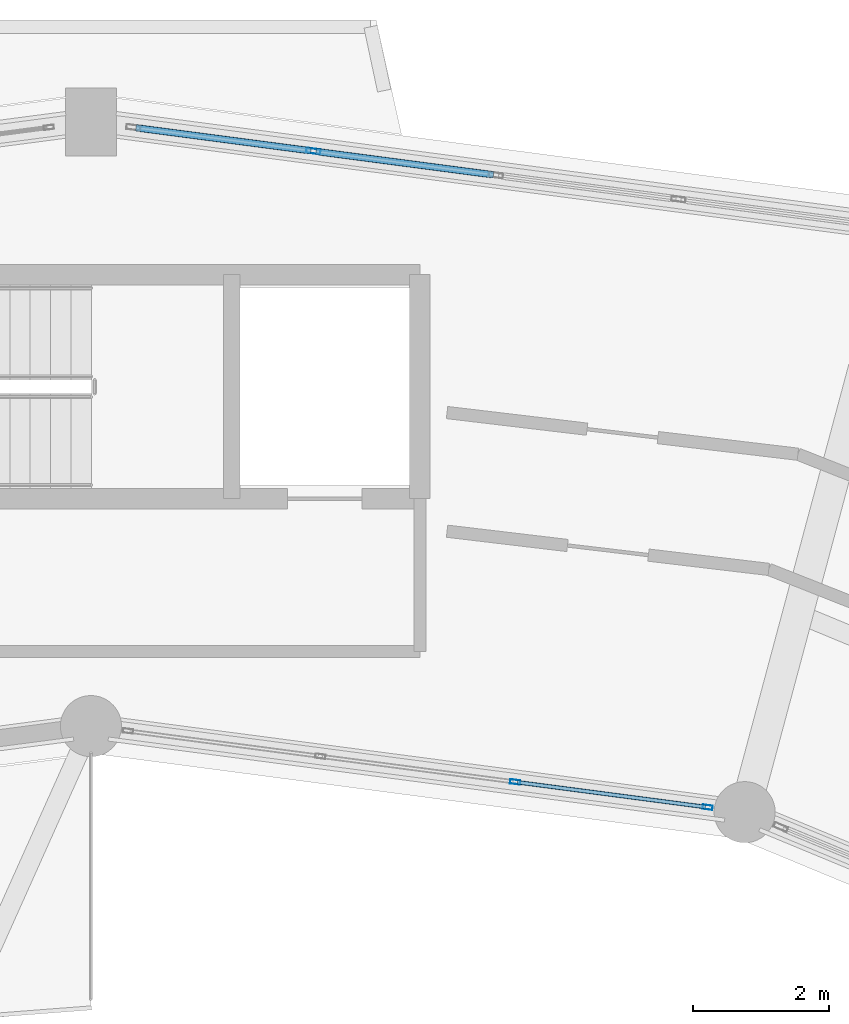
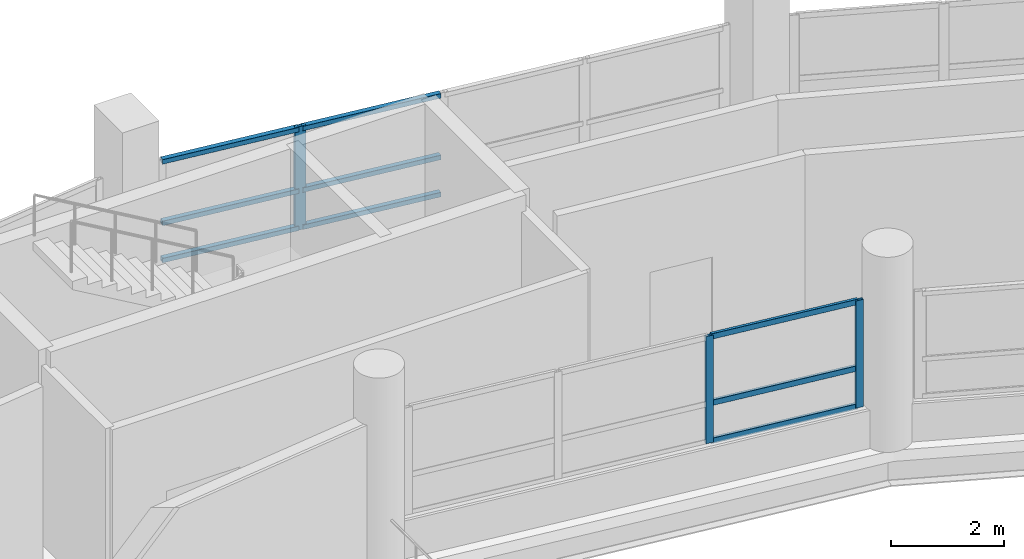
# One storey, part 68 of 128: 12 members, 2 elements without a shape of their own.
"""IFC4 building model written with IfcOpenShell, lengths in metres."""

from ifc_helpers import new_model, si_unit, direction, frame, origin, origin_2d, place, context, subcontext, project, spatial, hollow_rectangle, extrude, material, layer, layer_set, material_profile, profile_set, type_object, element, aggregate, save


model = new_model("IFC4")

# Units and contexts
model_context = context("Model", 3, precision=1e-05, world=origin(), true_north=direction((0.0, 1.0)))
body_context = subcontext(model_context, "Body", "Model", "MODEL_VIEW")
ifc_project = project(units=[si_unit("LENGTHUNIT", "METRE"), si_unit("AREAUNIT", "SQUARE_METRE"), si_unit("VOLUMEUNIT", "CUBIC_METRE"), si_unit("PLANEANGLEUNIT", "RADIAN"), si_unit("MASSUNIT", "GRAM", prefix="KILO")], contexts=[model_context])

# Site, building, storey
site_placement = place(None, origin())
site = spatial("IfcSite", under=ifc_project, at=site_placement, CompositionType="ELEMENT")
building_placement = place(site_placement, origin())
building = spatial("IfcBuilding", under=site, at=building_placement, Name="Vespera Passage Community Centre", CompositionType="ELEMENT")
storey_placement = place(building_placement, frame((0.0, 0.0, 4.5)))
storey = spatial("IfcBuildingStorey", under=building, at=storey_placement, Name="L01", CompositionType="ELEMENT", Elevation=4.5)

# Curtain wall, members
ifc_material_1 = material(Name="Anodized aluminium 6063-T6", Category="aluminium")
ifc_layer_1 = layer(ifc_material_1, 0.159912109375)
ifc_layer_set_1 = layer_set([ifc_layer_1], Name="Anodized aluminium 6063-T6")
curtain_wall_type_1 = type_object("IfcCurtainWallType", Name="CW-14E", PredefinedType="NOTDEFINED", material=ifc_layer_set_1)
curtain_wall_1_placement = place(storey_placement, origin())
curtain_wall_1 = element("IfcCurtainWall", 1, at=curtain_wall_1_placement, inside=storey, type_object=curtain_wall_type_1, Name="V4 L01 Inner Court Curtain Wall 5", PredefinedType="NOTDEFINED")
ifc_material_2 = material(Name="Anodized aluminium 6063-T6", Category="aluminium")
ifc_material_profile_1 = material_profile(ifc_material_2, hollow_rectangle(XDim=0.06494140625, YDim=0.14990234375, WallThickness=0.00390625, InnerFilletRadius=0.001953125, OuterFilletRadius=0.00390625, at=origin_2d()), Name="ALU150X65X4")
ifc_profile_set_1 = profile_set([ifc_material_profile_1], Name="Anodized aluminium 6063-T6")
member_type_1 = type_object("IfcMemberType", Name="MB-CWM-150E", PredefinedType="MULLION", material=ifc_profile_set_1)
member_1_placement = place(storey_placement, frame((87.082763671875, 101.504150390625, 0.820068359375), z_axis=(0.0, 0.0, 1.0), x_axis=(-0.1305221941, -0.991445387728, 0.0)))
member_1 = element("IfcMember", 2, at=member_1_placement, type_object=member_type_1, Name="CW-14E mullion 1", PredefinedType="MULLION", context=body_context, shape_type="SweptSolid", body=[
    extrude(hollow_rectangle(XDim=0.06494140625, YDim=0.14990234375, WallThickness=0.00390625, InnerFilletRadius=0.001953125, OuterFilletRadius=0.00390625, at=origin_2d()), origin(), (0.0, 0.0, 1.0), 2.309326171875),
])
member_2_placement = place(storey_placement, frame((84.24755859375, 101.87744140625, 0.820068359375), z_axis=(0.0, 0.0, 1.0), x_axis=(-0.1305221941, -0.991445387728, 0.0)))
member_2 = element("IfcMember", 3, at=member_2_placement, type_object=member_type_1, Name="CW-14E mullion 2", PredefinedType="MULLION", context=body_context, shape_type="SweptSolid", body=[
    extrude(hollow_rectangle(XDim=0.06494140625, YDim=0.14990234375, WallThickness=0.00390625, InnerFilletRadius=0.001953125, OuterFilletRadius=0.00390625, at=origin_2d()), origin(), (0.0, 0.0, 1.0), 2.309326171875),
])

ifc_material_3 = material(Name="Anodized aluminium 6063-T6", Category="aluminium")
ifc_layer_2 = layer(ifc_material_3, 0.159912109375)
ifc_layer_set_2 = layer_set([ifc_layer_2], Name="Anodized aluminium 6063-T6")
curtain_wall_type_2 = type_object("IfcCurtainWallType", Name="CW-13E", PredefinedType="NOTDEFINED", material=ifc_layer_set_2)
curtain_wall_2_placement = place(storey_placement, origin())
curtain_wall_2 = element("IfcCurtainWall", 4, at=curtain_wall_2_placement, inside=storey, type_object=curtain_wall_type_2, Name="V4 L01 Outer Ribbon Curtain Wall 5", PredefinedType="NOTDEFINED")
ifc_material_4 = material(Name="Anodized aluminium 6063-T6", Category="aluminium")
ifc_material_profile_2 = material_profile(ifc_material_4, hollow_rectangle(XDim=0.074951171875, YDim=0.2099609375, WallThickness=0.0048828125, InnerFilletRadius=0.00244140625, OuterFilletRadius=0.0048828125, at=origin_2d()), Name="ALU210X75X5")
ifc_profile_set_2 = profile_set([ifc_material_profile_2], Name="Anodized aluminium 6063-T6")
member_type_2 = type_object("IfcMemberType", Name="MB-CWM-210E", PredefinedType="MULLION", material=ifc_profile_set_2)
member_3_placement = place(storey_placement, frame((81.277099609375, 111.168701171875, 0.820068359375), z_axis=(0.0, 0.0, 1.0), x_axis=(0.130530818696, 0.991444252276, 0.0)))
member_3 = element("IfcMember", 5, at=member_3_placement, type_object=member_type_2, Name="CW-13E mullion 2", PredefinedType="MULLION", context=body_context, shape_type="SweptSolid", body=[
    extrude(hollow_rectangle(XDim=0.074951171875, YDim=0.2099609375, WallThickness=0.0048828125, InnerFilletRadius=0.00244140625, OuterFilletRadius=0.0048828125, at=origin_2d()), origin(), (0.0, 0.0, 1.0), 2.2255859375),
])
ifc_material_5 = material(Name="Anodized aluminium 6063-T6", Category="aluminium")
ifc_material_profile_3 = material_profile(ifc_material_5, hollow_rectangle(XDim=0.10009765625, YDim=0.10009765625, WallThickness=0.00390625, InnerFilletRadius=0.001953125, OuterFilletRadius=0.00390625, at=origin_2d()), Name="ALU100X100X4")
ifc_profile_set_3 = profile_set([ifc_material_profile_3], Name="Anodized aluminium 6063-T6")
member_type_3 = type_object("IfcMemberType", Name="MB-CWT-100E", PredefinedType="USERDEFINED", material=ifc_profile_set_3)
member_4_placement = place(storey_placement, frame((78.66259765625, 111.5126953125, 0.8701171875), z_axis=(0.991453656162, -0.13045937177, 0.0), x_axis=(0.13045937177, 0.991453656162, 0.0)))
member_4 = element("IfcMember", 6, at=member_4_placement, type_object=member_type_3, Name="CW-13E transom 1.1", ObjectType="TRANSOM", PredefinedType="USERDEFINED", context=body_context, shape_type="SweptSolid", body=[
    extrude(hollow_rectangle(XDim=0.10009765625, YDim=0.10009765625, WallThickness=0.00390625, InnerFilletRadius=0.001953125, OuterFilletRadius=0.00390625, at=origin_2d()), origin(), (0.0, 0.0, 1.0), 2.599365234375),
])
member_5_placement = place(storey_placement, frame((78.66259765625, 111.5126953125, 1.669921875), z_axis=(0.991453656162, -0.13045937177, 0.0), x_axis=(0.13045937177, 0.991453656162, 0.0)))
member_5 = element("IfcMember", 7, at=member_5_placement, type_object=member_type_3, Name="CW-13E transom 1.2", ObjectType="TRANSOM", PredefinedType="USERDEFINED", context=body_context, shape_type="SweptSolid", body=[
    extrude(hollow_rectangle(XDim=0.10009765625, YDim=0.10009765625, WallThickness=0.00390625, InnerFilletRadius=0.001953125, OuterFilletRadius=0.00390625, at=origin_2d()), origin(), (0.0, 0.0, 1.0), 2.599365234375),
])
member_6_placement = place(storey_placement, frame((78.66259765625, 111.5126953125, 2.99560546875), z_axis=(0.991453656162, -0.13045937177, 0.0), x_axis=(0.13045937177, 0.991453656162, 0.0)))
member_6 = element("IfcMember", 8, at=member_6_placement, type_object=member_type_3, Name="CW-13E transom 1.3", ObjectType="TRANSOM", PredefinedType="USERDEFINED", context=body_context, shape_type="SweptSolid", body=[
    extrude(hollow_rectangle(XDim=0.10009765625, YDim=0.10009765625, WallThickness=0.00390625, InnerFilletRadius=0.001953125, OuterFilletRadius=0.00390625, at=origin_2d()), origin(), (0.0, 0.0, 1.0), 2.599365234375),
])
member_7_placement = place(storey_placement, frame((81.314208984375, 111.163818359375, 0.8701171875), z_axis=(0.991443263023, -0.130538332324, 0.0), x_axis=(0.130538332324, 0.991443263023, 0.0)))
member_7 = element("IfcMember", 9, at=member_7_placement, type_object=member_type_3, Name="CW-13E transom 2.1", ObjectType="TRANSOM", PredefinedType="USERDEFINED", context=body_context, shape_type="SweptSolid", body=[
    extrude(hollow_rectangle(XDim=0.10009765625, YDim=0.10009765625, WallThickness=0.00390625, InnerFilletRadius=0.001953125, OuterFilletRadius=0.00390625, at=origin_2d()), origin(), (0.0, 0.0, 1.0), 2.636962890625),
])
member_8_placement = place(storey_placement, frame((81.314208984375, 111.163818359375, 1.669921875), z_axis=(0.991443263023, -0.130538332324, 0.0), x_axis=(0.130538332324, 0.991443263023, 0.0)))
member_8 = element("IfcMember", 10, at=member_8_placement, type_object=member_type_3, Name="CW-13E transom 2.2", ObjectType="TRANSOM", PredefinedType="USERDEFINED", context=body_context, shape_type="SweptSolid", body=[
    extrude(hollow_rectangle(XDim=0.10009765625, YDim=0.10009765625, WallThickness=0.00390625, InnerFilletRadius=0.001953125, OuterFilletRadius=0.00390625, at=origin_2d()), origin(), (0.0, 0.0, 1.0), 2.636962890625),
])
member_9_placement = place(storey_placement, frame((81.314208984375, 111.163818359375, 2.99560546875), z_axis=(0.991443263023, -0.130538332324, 0.0), x_axis=(0.130538332324, 0.991443263023, 0.0)))
member_9 = element("IfcMember", 11, at=member_9_placement, type_object=member_type_3, Name="CW-13E transom 2.3", ObjectType="TRANSOM", PredefinedType="USERDEFINED", context=body_context, shape_type="SweptSolid", body=[
    extrude(hollow_rectangle(XDim=0.10009765625, YDim=0.10009765625, WallThickness=0.00390625, InnerFilletRadius=0.001953125, OuterFilletRadius=0.00390625, at=origin_2d()), origin(), (0.0, 0.0, 1.0), 2.636962890625),
])
aggregate(curtain_wall_2, [member_3, member_4, member_5, member_6, member_7, member_8, member_9])

# Member
ifc_material_6 = material(Name="Anodized aluminium 6063-T6", Category="aluminium")
ifc_material_profile_4 = material_profile(ifc_material_6, hollow_rectangle(XDim=0.06005859375, YDim=0.1201171875, WallThickness=0.00390625, InnerFilletRadius=0.001953125, OuterFilletRadius=0.00390625, at=origin_2d()), Name="ALU120X60X4")
ifc_profile_set_4 = profile_set([ifc_material_profile_4], Name="Anodized aluminium 6063-T6")
member_type_4 = type_object("IfcMemberType", Name="MB-CWT-120E", PredefinedType="USERDEFINED", material=ifc_profile_set_4)
member_10_placement = place(storey_placement, frame((87.050537109375, 101.508544921875, 0.85009765625), z_axis=(-0.991446265366, 0.130515527399, 0.0), x_axis=(-0.130515527399, -0.991446265366, 0.0)))
member_10 = element("IfcMember", 12, at=member_10_placement, type_object=member_type_4, Name="CW-14E transom 1.1", ObjectType="TRANSOM", PredefinedType="USERDEFINED", context=body_context, shape_type="SweptSolid", body=[
    extrude(hollow_rectangle(XDim=0.06005859375, YDim=0.1201171875, WallThickness=0.00390625, InnerFilletRadius=0.001953125, OuterFilletRadius=0.00390625, at=origin_2d()), origin(), (0.0, 0.0, 1.0), 2.794677734375),
])

member_11_placement = place(storey_placement, frame((87.050537109375, 101.508544921875, 1.669921875), z_axis=(-0.991446265366, 0.130515527399, 0.0), x_axis=(-0.130515527399, -0.991446265366, 0.0)))
member_11 = element("IfcMember", 13, at=member_11_placement, type_object=member_type_4, Name="CW-14E transom 1.2", ObjectType="TRANSOM", PredefinedType="USERDEFINED", context=body_context, shape_type="SweptSolid", body=[
    extrude(hollow_rectangle(XDim=0.06005859375, YDim=0.1201171875, WallThickness=0.00390625, InnerFilletRadius=0.001953125, OuterFilletRadius=0.00390625, at=origin_2d()), origin(), (0.0, 0.0, 1.0), 2.794677734375),
])

member_12_placement = place(storey_placement, frame((87.050537109375, 101.508544921875, 3.099609375), z_axis=(-0.991446265366, 0.130515527399, 0.0), x_axis=(-0.130515527399, -0.991446265366, 0.0)))
member_12 = element("IfcMember", 14, at=member_12_placement, type_object=member_type_4, Name="CW-14E transom 1.3", ObjectType="TRANSOM", PredefinedType="USERDEFINED", context=body_context, shape_type="SweptSolid", body=[
    extrude(hollow_rectangle(XDim=0.06005859375, YDim=0.1201171875, WallThickness=0.00390625, InnerFilletRadius=0.001953125, OuterFilletRadius=0.00390625, at=origin_2d()), origin(), (0.0, 0.0, 1.0), 2.794677734375),
])

aggregate(curtain_wall_1, [member_1, member_2, member_10, member_11, member_12])

save(model, "model.ifc")
